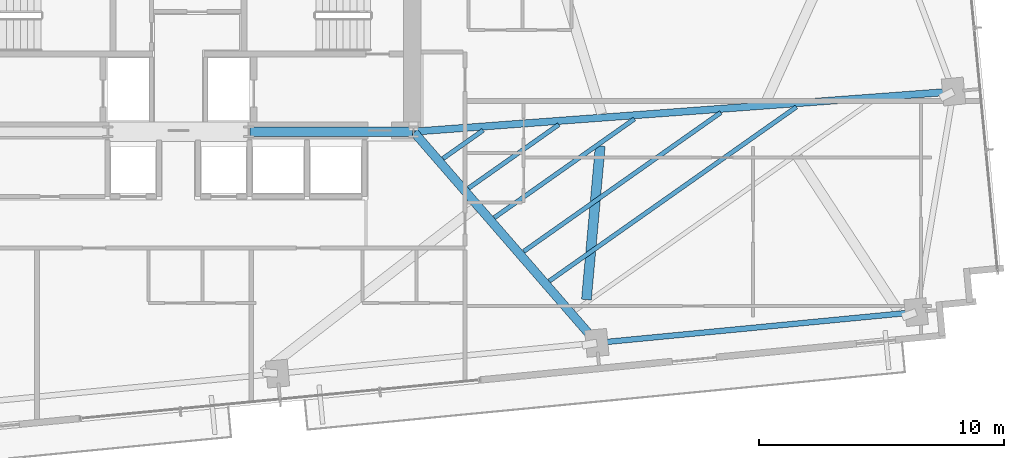
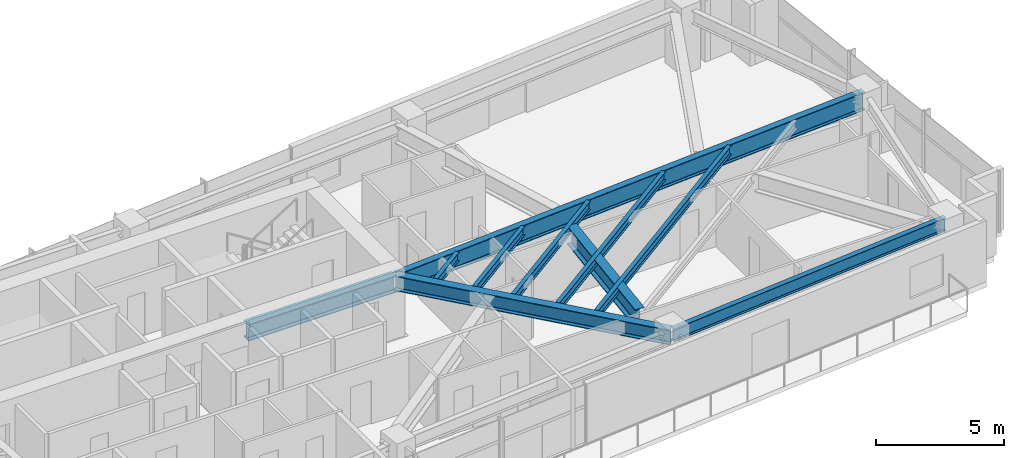
# One storey, part 13 of 27: 10 beams.
"""IFC4 building model written with IfcOpenShell, lengths in metres."""

from ifc_helpers import new_model, si_unit, direction, frame, origin, origin_2d, place, context, subcontext, project, spatial, i_section, extrude, source, transform, mapped, material, material_profile, profile_set, type_object, type_shapes, element, save


model = new_model("IFC4")

# Units and contexts
model_context = context("Model", 3, precision=1e-05, world=origin(), true_north=direction((0.0, 1.0)))
body_context = subcontext(model_context, "Body", "Model", "MODEL_VIEW")
ifc_project = project(units=[si_unit("LENGTHUNIT", "METRE"), si_unit("AREAUNIT", "SQUARE_METRE"), si_unit("VOLUMEUNIT", "CUBIC_METRE"), si_unit("PLANEANGLEUNIT", "RADIAN"), si_unit("MASSUNIT", "GRAM", prefix="KILO")], contexts=[model_context])

# Site, building, storey
site_placement = place(None, origin())
site = spatial("IfcSite", under=ifc_project, at=site_placement, CompositionType="ELEMENT")
building_placement = place(site_placement, origin())
building = spatial("IfcBuilding", under=site, at=building_placement, Name="Astriad Promenade Condominiums", CompositionType="ELEMENT")
storey_placement = place(building_placement, frame((0.0, 0.0, 116.199951171875)))
storey = spatial("IfcBuildingStorey", under=building, at=storey_placement, Name="L33", CompositionType="ELEMENT", Elevation=116.199951171875)

# Beams
ifc_material = material(Name="Steel ASTM A992 Grade 50", Category="steel")
ifc_material_profile_1 = material_profile(ifc_material, i_section(OverallWidth=0.3837890625, OverallDepth=0.785888671875, WebThickness=0.019775390625, FlangeThickness=0.033447265625, FilletRadius=0.021484375, at=origin_2d()), Name="W30X211")
ifc_profile_set_1 = profile_set([ifc_material_profile_1], Name="Steel ASTM A992 Grade 50")
beam_type_1 = type_object("IfcBeamType", Name="STEEL FLOOR GIRDER W30X211", PredefinedType="BEAM", material=ifc_profile_set_1)
shared_shape_1 = source(origin(), body_context, "Body", "SweptSolid", [
    extrude(i_section(OverallWidth=0.3837890625, OverallDepth=0.785888671875, WebThickness=0.019775390625, FlangeThickness=0.033447265625, FilletRadius=0.021484375, at=origin_2d()), origin(), (0.0, 0.0, 1.0), 6.64013671875),
])
type_shapes(beam_type_1, [shared_shape_1])
beam_1_placement = place(storey_placement, frame((38.919921875, 17.39990234375, 2.507080078125), z_axis=(1.0, 0.0, 0.0), x_axis=(0.0, 1.0, 0.0)))
element("IfcBeam", 1, at=beam_1_placement, inside=storey, type_object=beam_type_1, Name="Core Ring Beam CG-S3-L33", PredefinedType="BEAM", context=body_context, shape_type="MappedRepresentation", body=[
    mapped(shared_shape_1, transform((0.0, 0.0, 0.0), scale=1.0)),
])
ifc_material_profile_2 = material_profile(ifc_material, i_section(OverallWidth=0.22900390625, OverallDepth=0.612060546875, WebThickness=0.011962890625, FlangeThickness=0.01953125, FilletRadius=0.017822265625, at=origin_2d()), Name="W24X84")
ifc_profile_set_2 = profile_set([ifc_material_profile_2], Name="Steel ASTM A992 Grade 50")
beam_type_2 = type_object("IfcBeamType", Name="STEEL SPANDREL BEAM W24X84", PredefinedType="SPANDREL", material=ifc_profile_set_2)
shared_shape_2 = source(origin(), body_context, "Body", "SweptSolid", [
    extrude(i_section(OverallWidth=0.22900390625, OverallDepth=0.612060546875, WebThickness=0.011962890625, FlangeThickness=0.01953125, FilletRadius=0.017822265625, at=origin_2d()), origin(), (0.0, 0.0, 1.0), 13.020263671875),
])
type_shapes(beam_type_2, [shared_shape_2])
beam_2_placement = place(storey_placement, frame((53.124755859375, 8.780029296875, 2.593994140625), z_axis=(0.995395311238, 0.095854965264, 0.0), x_axis=(-0.095854965264, 0.995395311238, 0.0)))
element("IfcBeam", 2, at=beam_2_placement, inside=storey, type_object=beam_type_2, Name="Perimeter Spandrel Beam SP-S4-L33", PredefinedType="SPANDREL", context=body_context, shape_type="MappedRepresentation", body=[
    mapped(shared_shape_2, transform((0.0, 0.0, 0.0), scale=1.0)),
])
ifc_material_profile_3 = material_profile(ifc_material, i_section(OverallWidth=0.35791015625, OverallDepth=0.706298828125, WebThickness=0.018310546875, FlangeThickness=0.0302734375, FilletRadius=0.020263671875, at=origin_2d()), Name="W27X178")
ifc_profile_set_3 = profile_set([ifc_material_profile_3], Name="Steel ASTM A992 Grade 50")
beam_type_3 = type_object("IfcBeamType", Name="STEEL FLOOR GIRDER W27X178", PredefinedType="BEAM", material=ifc_profile_set_3)
shared_shape_3 = source(origin(), body_context, "Body", "SweptSolid", [
    extrude(i_section(OverallWidth=0.35791015625, OverallDepth=0.706298828125, WebThickness=0.018310546875, FlangeThickness=0.0302734375, FilletRadius=0.020263671875, at=origin_2d()), origin(), (0.0, 0.0, 1.0), 11.339111328125),
])
type_shapes(beam_type_3, [shared_shape_3])
beam_3_placement = place(storey_placement, frame((53.058837890625, 8.806396484375, 2.546875), z_axis=(-0.65548120109, 0.755211490258, 0.0), x_axis=(-0.755211490258, -0.65548120109, 0.0)))
element("IfcBeam", 3, at=beam_3_placement, inside=storey, type_object=beam_type_3, Name="Primary Floor Girder PG-E2-L33", PredefinedType="BEAM", context=body_context, shape_type="MappedRepresentation", body=[
    mapped(shared_shape_3, transform((0.0, 0.0, 0.0), scale=1.0)),
])
ifc_material_profile_4 = material_profile(ifc_material, i_section(OverallWidth=0.2919921875, OverallDepth=0.85888671875, WebThickness=0.01708984375, FlangeThickness=0.031005859375, FilletRadius=0.02294921875, at=origin_2d()), Name="W33X169")
ifc_profile_set_4 = profile_set([ifc_material_profile_4], Name="Steel ASTM A992 Grade 50")
beam_type_4 = type_object("IfcBeamType", Name="STEEL PRIMARY GIRDER W33X169", PredefinedType="BEAM", material=ifc_profile_set_4)
shared_shape_4 = source(origin(), body_context, "Body", "SweptSolid", [
    extrude(i_section(OverallWidth=0.2919921875, OverallDepth=0.85888671875, WebThickness=0.01708984375, FlangeThickness=0.031005859375, FilletRadius=0.02294921875, at=origin_2d()), origin(), (0.0, 0.0, 1.0), 22.029052734375),
])
type_shapes(beam_type_4, [shared_shape_4])
beam_4_placement = place(storey_placement, frame((67.6083984375, 19.036376953125, 2.470458984375), z_axis=(-0.99724763887, -0.074142745897, 0.0), x_axis=(0.074142745897, -0.99724763887, 0.0)))
element("IfcBeam", 4, at=beam_4_placement, inside=storey, type_object=beam_type_4, Name="Primary Floor Girder PG-EM-L33", PredefinedType="BEAM", context=body_context, shape_type="MappedRepresentation", body=[
    mapped(shared_shape_4, transform((0.0, 0.0, 0.0), scale=1.0)),
])
ifc_material_profile_5 = material_profile(ifc_material, i_section(OverallWidth=0.180908203125, OverallDepth=0.417236328125, WebThickness=0.010986328125, FlangeThickness=0.018310546875, FilletRadius=0.013916015625, at=origin_2d()), Name="W16X57")
ifc_profile_set_5 = profile_set([ifc_material_profile_5], Name="Steel ASTM A992 Grade 50")
beam_type_5 = type_object("IfcBeamType", Name="STEEL FLOOR JOIST W16X57", PredefinedType="JOIST", material=ifc_profile_set_5)
shared_shape_5 = source(origin(), body_context, "Body", "SweptSolid", [
    extrude(i_section(OverallWidth=0.180908203125, OverallDepth=0.417236328125, WebThickness=0.010986328125, FlangeThickness=0.018310546875, FilletRadius=0.013916015625, at=origin_2d()), origin(), (0.0, 0.0, 1.0), 12.34375),
])
beam_5_placement = place(storey_placement, frame((51.144287109375, 11.30029296875, 2.69140625), z_axis=(0.817418723738, 0.576043948048, 0.0), x_axis=(-0.576043948048, 0.817418723738, 0.0)))
element("IfcBeam", 5, at=beam_5_placement, inside=storey, type_object=beam_type_5, Name="Secondary Composite Floor Joist JE1-2-L33", PredefinedType="JOIST", context=body_context, shape_type="MappedRepresentation", body=[
    mapped(shared_shape_5, transform((0.0, 0.0, 0.0), scale=1.0)),
])
shared_shape_6 = source(origin(), body_context, "Body", "SweptSolid", [
    extrude(i_section(OverallWidth=0.180908203125, OverallDepth=0.417236328125, WebThickness=0.010986328125, FlangeThickness=0.018310546875, FilletRadius=0.013916015625, at=origin_2d()), origin(), (0.0, 0.0, 1.0), 9.849609375),
])
beam_6_placement = place(storey_placement, frame((50.096435546875, 12.507568359375, 2.69140625), z_axis=(0.817418240833, 0.5760446333, 0.0), x_axis=(-0.5760446333, 0.817418240833, 0.0)))
element("IfcBeam", 6, at=beam_6_placement, inside=storey, type_object=beam_type_5, Name="Secondary Composite Floor Joist JE1-3-L33", PredefinedType="JOIST", context=body_context, shape_type="MappedRepresentation", body=[
    mapped(shared_shape_6, transform((0.0, 0.0, 0.0), scale=1.0)),
])
shared_shape_7 = source(origin(), body_context, "Body", "SweptSolid", [
    extrude(i_section(OverallWidth=0.180908203125, OverallDepth=0.417236328125, WebThickness=0.010986328125, FlangeThickness=0.018310546875, FilletRadius=0.013916015625, at=origin_2d()), origin(), (0.0, 0.0, 1.0), 6.9990234375),
])
beam_7_placement = place(storey_placement, frame((48.898681640625, 13.88720703125, 2.69140625), z_axis=(0.81742196028, 0.576039355298, 0.0), x_axis=(-0.576039355298, 0.81742196028, 0.0)))
element("IfcBeam", 7, at=beam_7_placement, inside=storey, type_object=beam_type_5, Name="Secondary Composite Floor Joist JE1-4-L33", PredefinedType="JOIST", context=body_context, shape_type="MappedRepresentation", body=[
    mapped(shared_shape_7, transform((0.0, 0.0, 0.0), scale=1.0)),
])
shared_shape_8 = source(origin(), body_context, "Body", "SweptSolid", [
    extrude(i_section(OverallWidth=0.180908203125, OverallDepth=0.417236328125, WebThickness=0.010986328125, FlangeThickness=0.018310546875, FilletRadius=0.013916015625, at=origin_2d()), origin(), (0.0, 0.0, 1.0), 4.504638671875),
])
beam_8_placement = place(storey_placement, frame((47.850830078125, 15.0947265625, 2.69140625), z_axis=(0.817448215019, 0.576002097012, 0.0), x_axis=(-0.576002097012, 0.817448215019, 0.0)))
element("IfcBeam", 8, at=beam_8_placement, inside=storey, type_object=beam_type_5, Name="Secondary Composite Floor Joist JE1-5-L33", PredefinedType="JOIST", context=body_context, shape_type="MappedRepresentation", body=[
    mapped(shared_shape_8, transform((0.0, 0.0, 0.0), scale=1.0)),
])
shared_shape_9 = source(origin(), body_context, "Body", "SweptSolid", [
    extrude(i_section(OverallWidth=0.180908203125, OverallDepth=0.417236328125, WebThickness=0.010986328125, FlangeThickness=0.018310546875, FilletRadius=0.013916015625, at=origin_2d()), origin(), (0.0, 0.0, 1.0), 2.01025390625),
])
type_shapes(beam_type_5, [shared_shape_5, shared_shape_6, shared_shape_7, shared_shape_8, shared_shape_9])
beam_9_placement = place(storey_placement, frame((46.802978515625, 16.302001953125, 2.69140625), z_axis=(0.8174421453, 0.576010710913, 0.0), x_axis=(-0.576010710913, 0.8174421453, 0.0)))
element("IfcBeam", 9, at=beam_9_placement, inside=storey, type_object=beam_type_5, Name="Secondary Composite Floor Joist JE1-6-L33", PredefinedType="JOIST", context=body_context, shape_type="MappedRepresentation", body=[
    mapped(shared_shape_9, transform((0.0, 0.0, 0.0), scale=1.0)),
])
ifc_material_profile_6 = material_profile(ifc_material, i_section(OverallWidth=0.4013671875, OverallDepth=0.877197265625, WebThickness=0.022216796875, FlangeThickness=0.039794921875, FilletRadius=0.02294921875, at=origin_2d()), Name="W33X263")
ifc_profile_set_6 = profile_set([ifc_material_profile_6], Name="Steel ASTM A992 Grade 50")
beam_type_6 = type_object("IfcBeamType", Name="STEEL TRANSFER CARRIER GIRDER W33X263", PredefinedType="BEAM", material=ifc_profile_set_6)
shared_shape_10 = source(origin(), body_context, "Body", "SweptSolid", [
    extrude(i_section(OverallWidth=0.4013671875, OverallDepth=0.877197265625, WebThickness=0.022216796875, FlangeThickness=0.039794921875, FilletRadius=0.02294921875, at=origin_2d()), origin(), (0.0, 0.0, 1.0), 6.298095703125),
])
type_shapes(beam_type_6, [shared_shape_10])
beam_10_placement = place(storey_placement, frame((53.224609375, 16.81591796875, 2.46142578125), z_axis=(-0.089546564858, -0.995982636757, 0.0), x_axis=(0.995982636757, -0.089546564858, 0.0)))
element("IfcBeam", 10, at=beam_10_placement, inside=storey, type_object=beam_type_6, Name="Transfer Splice Carrier TRM-SP-PC04-L33", PredefinedType="BEAM", context=body_context, shape_type="MappedRepresentation", body=[
    mapped(shared_shape_10, transform((0.0, 0.0, 0.0), scale=1.0)),
])

save(model, "model.ifc")
